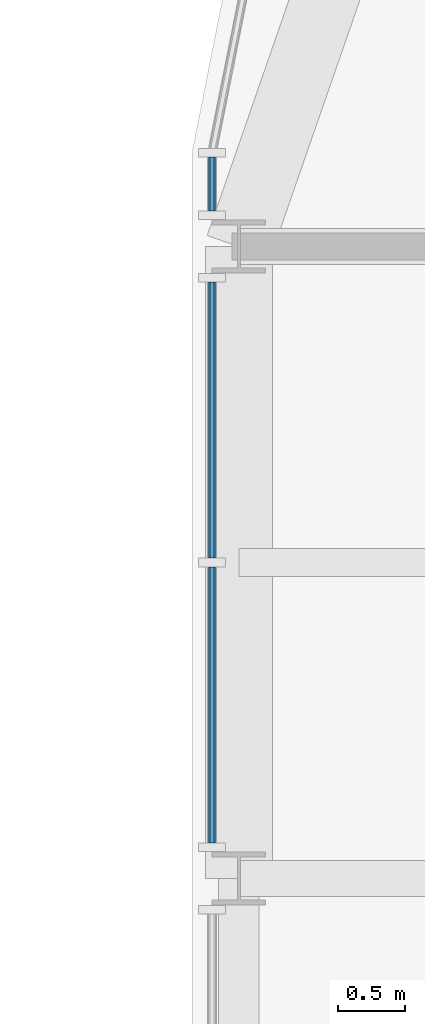
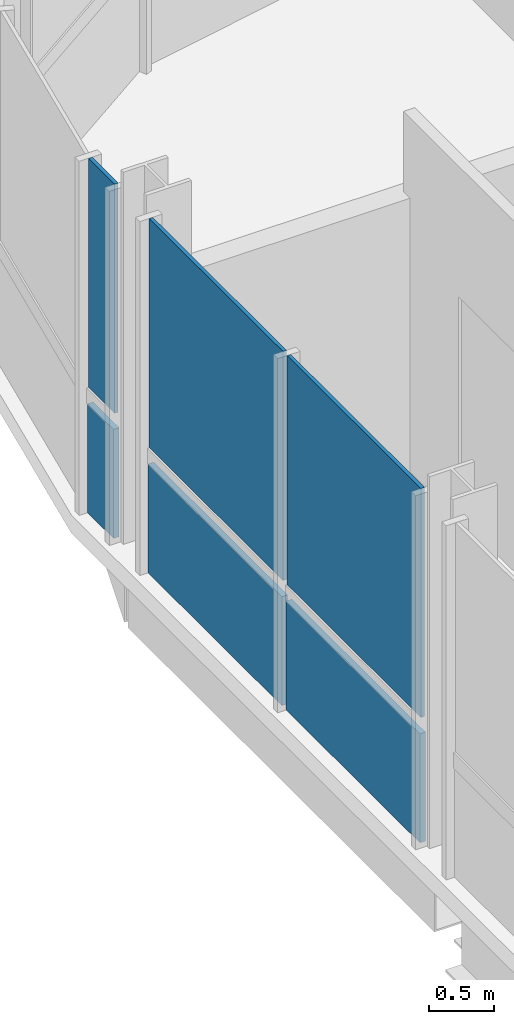
# One storey, part 9 of 17: 6 plates, 2 elements without a shape of their own.
"""IFC4 building model written with IfcOpenShell, lengths in metres."""

from ifc_helpers import new_model, si_unit, direction, frame, origin, origin_2d, place, context, subcontext, project, spatial, rectangle, extrude, material, layer, layer_set, type_object, element, aggregate, save


model = new_model("IFC4")

# Units and contexts
model_context = context("Model", 3, precision=1e-05, world=origin(), true_north=direction((0.0, 1.0)))
body_context = subcontext(model_context, "Body", "Model", "MODEL_VIEW")
ifc_project = project(units=[si_unit("LENGTHUNIT", "METRE"), si_unit("AREAUNIT", "SQUARE_METRE"), si_unit("VOLUMEUNIT", "CUBIC_METRE"), si_unit("PLANEANGLEUNIT", "RADIAN"), si_unit("MASSUNIT", "GRAM", prefix="KILO")], contexts=[model_context])

# Site, building, storey
site_placement = place(None, origin())
site = spatial("IfcSite", under=ifc_project, at=site_placement, CompositionType="ELEMENT")
building_placement = place(site_placement, origin())
building = spatial("IfcBuilding", under=site, at=building_placement, Name="Turquesa Mirador Hotel Tower", CompositionType="ELEMENT")
storey_placement = place(building_placement, frame((0.0, 0.0, 244.199951171875)))
storey = spatial("IfcBuildingStorey", under=building, at=storey_placement, Name="L66", CompositionType="ELEMENT", Elevation=244.199951171875)

# Curtain wall, plate
ifc_material_1 = material(Name="Aluminium extrusion", Category="aluminium")
curtain_wall_type = type_object("IfcCurtainWallType", Name="CW-4 SUITE FRITTED CURTAIN WALL", PredefinedType="USERDEFINED", material=ifc_material_1)
curtain_wall_1_placement = place(storey_placement, origin())
curtain_wall_1 = element("IfcCurtainWall", 1, at=curtain_wall_1_placement, inside=storey, type_object=curtain_wall_type, Name="CW-4 SUITE FRITTED CURTAIN WALL L66", ObjectType="CURTAIN WALL", PredefinedType="USERDEFINED")
ifc_material_2 = material(Name="Ceramic-printed spandrel glass on an insulated back pan", Category="glass")
ifc_layer_1 = layer(ifc_material_2, 0.050048828125)
ifc_layer_set_1 = layer_set([ifc_layer_1], Name="CW PANEL SPANDREL CERAMIC")
plate_type_1 = type_object("IfcPlateType", Name="CW PANEL SPANDREL CERAMIC", PredefinedType="CURTAIN_PANEL", material=ifc_layer_set_1)
plate_1_placement = place(storey_placement, frame((37.14990234375, 57.266845703125, 0.0), z_axis=(0.0, 0.0, 1.0), x_axis=(0.0, -1.0, 0.0)))
plate_1 = element("IfcPlate", 2, at=plate_1_placement, type_object=plate_type_1, Name="Panel", PredefinedType="CURTAIN_PANEL", context=body_context, shape_type="SweptSolid", body=[
    extrude(rectangle(XDim=0.401123046875, YDim=0.050048828125, at=origin_2d()), origin(), (0.0, 0.0, 1.0), 1.02490234375),
])

# Curtain wall, plates
curtain_wall_2_placement = place(storey_placement, origin())
curtain_wall_2 = element("IfcCurtainWall", 3, at=curtain_wall_2_placement, inside=storey, type_object=curtain_wall_type, Name="CW-4 SUITE FRITTED CURTAIN WALL L66", ObjectType="CURTAIN WALL", PredefinedType="USERDEFINED")
plate_2_placement = place(storey_placement, frame((37.14990234375, 55.503173828125, 0.0), z_axis=(0.0, 0.0, 1.0), x_axis=(0.0, -1.0, 0.0)))
plate_2 = element("IfcPlate", 4, at=plate_2_placement, type_object=plate_type_1, Name="Panel", PredefinedType="CURTAIN_PANEL", context=body_context, shape_type="SweptSolid", body=[
    extrude(rectangle(XDim=2.06103515625, YDim=0.050048828125, at=origin_2d()), origin(), (0.0, 0.0, 1.0), 1.02490234375),
])
plate_3_placement = place(storey_placement, frame((37.14990234375, 53.376953125, 0.0), z_axis=(0.0, 0.0, 1.0), x_axis=(0.0, -1.0, 0.0)))
plate_3 = element("IfcPlate", 5, at=plate_3_placement, type_object=plate_type_1, Name="Panel", PredefinedType="CURTAIN_PANEL", context=body_context, shape_type="SweptSolid", body=[
    extrude(rectangle(XDim=2.06103515625, YDim=0.050048828125, at=origin_2d()), origin(), (0.0, 0.0, 1.0), 1.02490234375),
])

# Plate
ifc_material_3 = material(Name="Ceramic-fritted laminated glass", Category="glass")
ifc_layer_2 = layer(ifc_material_3, 0.031982421875)
ifc_layer_set_2 = layer_set([ifc_layer_2], Name="CW PANEL VISION FRITTED")
plate_type_2 = type_object("IfcPlateType", Name="CW PANEL VISION FRITTED", PredefinedType="CURTAIN_PANEL", material=ifc_layer_set_2)
plate_4_placement = place(storey_placement, frame((37.14990234375, 57.266845703125, 1.1748046875), z_axis=(0.0, 0.0, 1.0), x_axis=(0.0, -1.0, 0.0)))
plate_4 = element("IfcPlate", 6, at=plate_4_placement, type_object=plate_type_2, Name="Panel", PredefinedType="CURTAIN_PANEL", context=body_context, shape_type="SweptSolid", body=[
    extrude(rectangle(XDim=0.401123046875, YDim=0.031982421875, at=origin_2d()), origin(), (0.0, 0.0, 1.0), 2.155029296875),
])

aggregate(curtain_wall_1, [plate_1, plate_4])

plate_5_placement = place(storey_placement, frame((37.14990234375, 55.503173828125, 1.1748046875), z_axis=(0.0, 0.0, 1.0), x_axis=(0.0, -1.0, 0.0)))
plate_5 = element("IfcPlate", 7, at=plate_5_placement, type_object=plate_type_2, Name="Panel", PredefinedType="CURTAIN_PANEL", context=body_context, shape_type="SweptSolid", body=[
    extrude(rectangle(XDim=2.06103515625, YDim=0.031982421875, at=origin_2d()), origin(), (0.0, 0.0, 1.0), 2.155029296875),
])

plate_6_placement = place(storey_placement, frame((37.14990234375, 53.376953125, 1.1748046875), z_axis=(0.0, 0.0, 1.0), x_axis=(0.0, -1.0, 0.0)))
plate_6 = element("IfcPlate", 8, at=plate_6_placement, type_object=plate_type_2, Name="Panel", PredefinedType="CURTAIN_PANEL", context=body_context, shape_type="SweptSolid", body=[
    extrude(rectangle(XDim=2.06103515625, YDim=0.031982421875, at=origin_2d()), origin(), (0.0, 0.0, 1.0), 2.155029296875),
])

aggregate(curtain_wall_2, [plate_2, plate_5, plate_3, plate_6])

save(model, "model.ifc")
